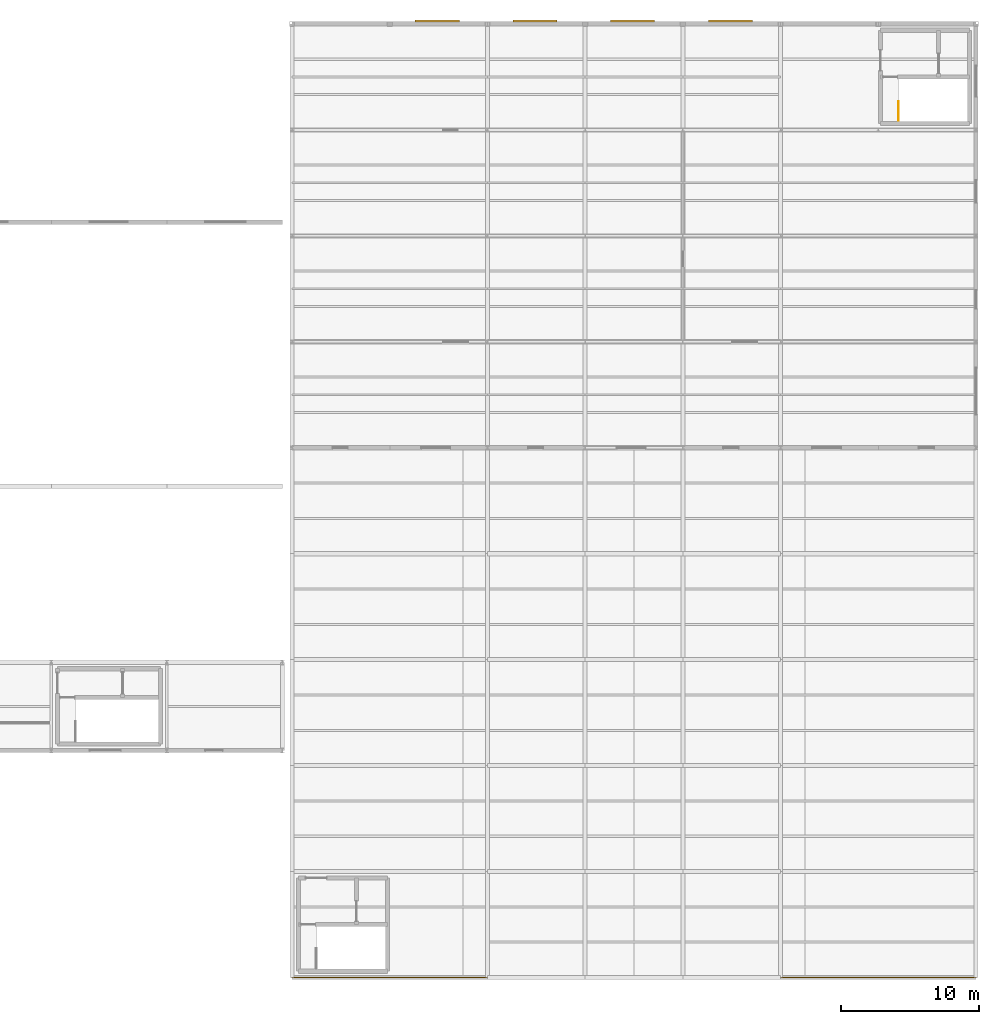
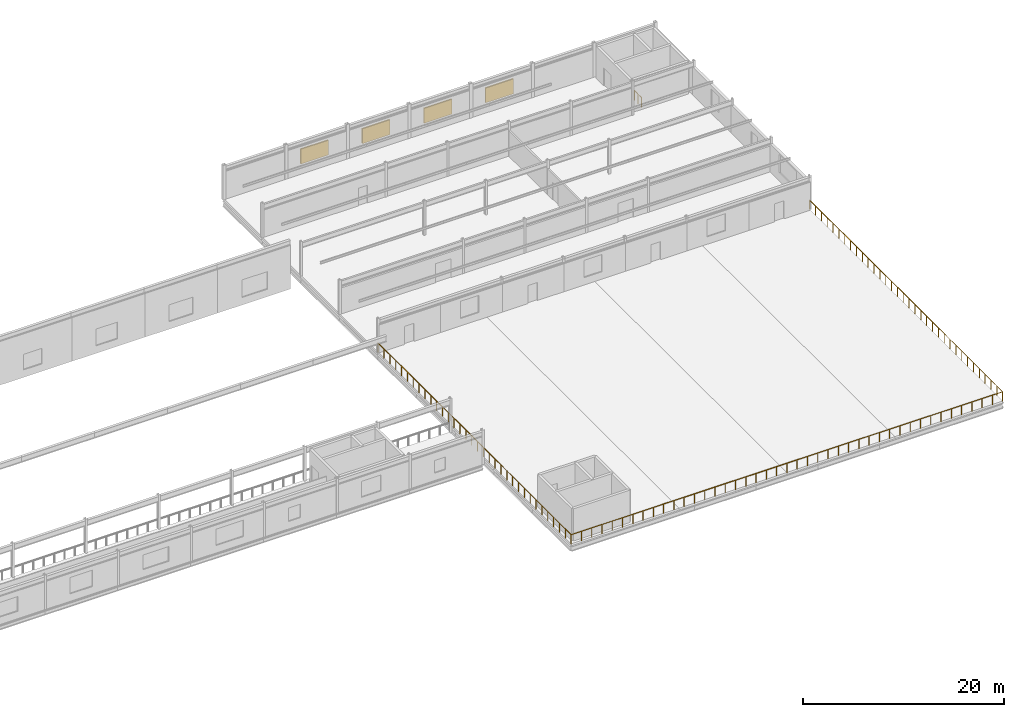
# One storey, part 39 of 39: 4 shading devices, 2 railings.
"""IFC4 building model written with IfcOpenShell, lengths in metres."""

from ifc_helpers import new_model, si_unit, direction, frame, origin, origin_2d, place, context, subcontext, project, spatial, rectangle, circle, extrude, material, layer, layer_set, type_object, element, save


model = new_model("IFC4")

# Units and contexts
model_context = context("Model", 3, precision=1e-05, world=origin(), true_north=direction((0.0, 1.0)))
body_context = subcontext(model_context, "Body", "Model", "MODEL_VIEW")
ifc_project = project(units=[si_unit("LENGTHUNIT", "METRE"), si_unit("AREAUNIT", "SQUARE_METRE"), si_unit("VOLUMEUNIT", "CUBIC_METRE"), si_unit("PLANEANGLEUNIT", "RADIAN"), si_unit("MASSUNIT", "GRAM", prefix="KILO")], contexts=[model_context])

# Site, building, storey
site_placement = place(None, origin())
site = spatial("IfcSite", under=ifc_project, at=site_placement, CompositionType="ELEMENT")
building_placement = place(site_placement, origin())
building = spatial("IfcBuilding", under=site, at=building_placement, Name="Kazenagashi Tramway Depot", CompositionType="ELEMENT")
storey_placement = place(building_placement, frame((0.0, 0.0, 11.1)))
storey = spatial("IfcBuildingStorey", under=building, at=storey_placement, Name="L03", CompositionType="ELEMENT", Elevation=11.1)

# Railings
ifc_material_1 = material(Name="Galvanised Painted Steel Balustrade", Category="steel")
railing_type = type_object("IfcRailingType", Name="GR-01", PredefinedType="GUARDRAIL", material=ifc_material_1)
railing_1_placement = place(storey_placement, frame((146.3, 38.5, 0.0)))
element("IfcRailing", 1, at=railing_1_placement, inside=storey, type_object=railing_type, Name="Terrace Perimeter Guardrail GR-01 1", PredefinedType="GUARDRAIL", context=body_context, shape_type="SweptSolid", body=[
    extrude(circle(Radius=0.024, at=origin_2d()), frame((0.0, 0.0, 1.126), z_axis=(0.0, -1.0, 0.0), x_axis=(1.0, 0.0, 0.0)), (0.0, 0.0, 1.0), 38.5),
    extrude(circle(Radius=0.024, at=origin_2d()), frame((0.0, -38.5, 1.126), z_axis=(1.0, 0.0, 0.0), x_axis=(0.0, 1.0, 0.0)), (0.0, 0.0, 1.0), 49.7),
    extrude(circle(Radius=0.024, at=origin_2d()), frame((49.7, -38.5, 1.126), z_axis=(0.0, 1.0, 0.0), x_axis=(-1.0, 0.0, 0.0)), (0.0, 0.0, 1.0), 38.5),
    extrude(circle(Radius=0.021, at=origin_2d()), origin(), (0.0, 0.0, 1.0), 1.102),
    extrude(circle(Radius=0.021, at=origin_2d()), frame((0.0, -1.166667, 0.0)), (0.0, 0.0, 1.0), 1.102),
    extrude(circle(Radius=0.021, at=origin_2d()), frame((0.0, -2.333333, 0.0)), (0.0, 0.0, 1.0), 1.102),
    extrude(circle(Radius=0.021, at=origin_2d()), frame((0.0, -3.5, 0.0)), (0.0, 0.0, 1.0), 1.102),
    extrude(circle(Radius=0.021, at=origin_2d()), frame((0.0, -4.666667, 0.0)), (0.0, 0.0, 1.0), 1.102),
    extrude(circle(Radius=0.021, at=origin_2d()), frame((0.0, -5.833333, 0.0)), (0.0, 0.0, 1.0), 1.102),
    extrude(circle(Radius=0.021, at=origin_2d()), frame((0.0, -7.0, 0.0)), (0.0, 0.0, 1.0), 1.102),
    extrude(circle(Radius=0.021, at=origin_2d()), frame((0.0, -8.166667, 0.0)), (0.0, 0.0, 1.0), 1.102),
    extrude(circle(Radius=0.021, at=origin_2d()), frame((0.0, -9.333333, 0.0)), (0.0, 0.0, 1.0), 1.102),
    extrude(circle(Radius=0.021, at=origin_2d()), frame((0.0, -10.5, 0.0)), (0.0, 0.0, 1.0), 1.102),
    extrude(circle(Radius=0.021, at=origin_2d()), frame((0.0, -11.666667, 0.0)), (0.0, 0.0, 1.0), 1.102),
    extrude(circle(Radius=0.021, at=origin_2d()), frame((0.0, -12.833333, 0.0)), (0.0, 0.0, 1.0), 1.102),
    extrude(circle(Radius=0.021, at=origin_2d()), frame((0.0, -14.0, 0.0)), (0.0, 0.0, 1.0), 1.102),
    extrude(circle(Radius=0.021, at=origin_2d()), frame((0.0, -15.166667, 0.0)), (0.0, 0.0, 1.0), 1.102),
    extrude(circle(Radius=0.021, at=origin_2d()), frame((0.0, -16.333333, 0.0)), (0.0, 0.0, 1.0), 1.102),
    extrude(circle(Radius=0.021, at=origin_2d()), frame((0.0, -17.5, 0.0)), (0.0, 0.0, 1.0), 1.102),
    extrude(circle(Radius=0.021, at=origin_2d()), frame((0.0, -18.666667, 0.0)), (0.0, 0.0, 1.0), 1.102),
    extrude(circle(Radius=0.021, at=origin_2d()), frame((0.0, -19.833333, 0.0)), (0.0, 0.0, 1.0), 1.102),
    extrude(circle(Radius=0.021, at=origin_2d()), frame((0.0, -21.0, 0.0)), (0.0, 0.0, 1.0), 1.102),
    extrude(circle(Radius=0.021, at=origin_2d()), frame((0.0, -22.166667, 0.0)), (0.0, 0.0, 1.0), 1.102),
    extrude(circle(Radius=0.021, at=origin_2d()), frame((0.0, -23.333333, 0.0)), (0.0, 0.0, 1.0), 1.102),
    extrude(circle(Radius=0.021, at=origin_2d()), frame((0.0, -24.5, 0.0)), (0.0, 0.0, 1.0), 1.102),
    extrude(circle(Radius=0.021, at=origin_2d()), frame((0.0, -25.666667, 0.0)), (0.0, 0.0, 1.0), 1.102),
    extrude(circle(Radius=0.021, at=origin_2d()), frame((0.0, -26.833333, 0.0)), (0.0, 0.0, 1.0), 1.102),
    extrude(circle(Radius=0.021, at=origin_2d()), frame((0.0, -28.0, 0.0)), (0.0, 0.0, 1.0), 1.102),
    extrude(circle(Radius=0.021, at=origin_2d()), frame((0.0, -29.166667, 0.0)), (0.0, 0.0, 1.0), 1.102),
    extrude(circle(Radius=0.021, at=origin_2d()), frame((0.0, -30.333333, 0.0)), (0.0, 0.0, 1.0), 1.102),
    extrude(circle(Radius=0.021, at=origin_2d()), frame((0.0, -31.5, 0.0)), (0.0, 0.0, 1.0), 1.102),
    extrude(circle(Radius=0.021, at=origin_2d()), frame((0.0, -32.666667, 0.0)), (0.0, 0.0, 1.0), 1.102),
    extrude(circle(Radius=0.021, at=origin_2d()), frame((0.0, -33.833333, 0.0)), (0.0, 0.0, 1.0), 1.102),
    extrude(circle(Radius=0.021, at=origin_2d()), frame((0.0, -35.0, 0.0)), (0.0, 0.0, 1.0), 1.102),
    extrude(circle(Radius=0.021, at=origin_2d()), frame((0.0, -36.166667, 0.0)), (0.0, 0.0, 1.0), 1.102),
    extrude(circle(Radius=0.021, at=origin_2d()), frame((0.0, -37.333333, 0.0)), (0.0, 0.0, 1.0), 1.102),
    extrude(circle(Radius=0.021, at=origin_2d()), frame((0.0, -38.5, 0.0)), (0.0, 0.0, 1.0), 1.102),
    extrude(circle(Radius=0.021, at=origin_2d()), frame((1.183333, -38.5, 0.0)), (0.0, 0.0, 1.0), 1.102),
    extrude(circle(Radius=0.021, at=origin_2d()), frame((2.366667, -38.5, 0.0)), (0.0, 0.0, 1.0), 1.102),
    extrude(circle(Radius=0.021, at=origin_2d()), frame((3.55, -38.5, 0.0)), (0.0, 0.0, 1.0), 1.102),
    extrude(circle(Radius=0.021, at=origin_2d()), frame((4.733333, -38.5, 0.0)), (0.0, 0.0, 1.0), 1.102),
    extrude(circle(Radius=0.021, at=origin_2d()), frame((5.916667, -38.5, 0.0)), (0.0, 0.0, 1.0), 1.102),
    extrude(circle(Radius=0.021, at=origin_2d()), frame((7.1, -38.5, 0.0)), (0.0, 0.0, 1.0), 1.102),
    extrude(circle(Radius=0.021, at=origin_2d()), frame((8.283333, -38.5, 0.0)), (0.0, 0.0, 1.0), 1.102),
    extrude(circle(Radius=0.021, at=origin_2d()), frame((9.466667, -38.5, 0.0)), (0.0, 0.0, 1.0), 1.102),
    extrude(circle(Radius=0.021, at=origin_2d()), frame((10.65, -38.5, 0.0)), (0.0, 0.0, 1.0), 1.102),
    extrude(circle(Radius=0.021, at=origin_2d()), frame((11.833333, -38.5, 0.0)), (0.0, 0.0, 1.0), 1.102),
    extrude(circle(Radius=0.021, at=origin_2d()), frame((13.016667, -38.5, 0.0)), (0.0, 0.0, 1.0), 1.102),
    extrude(circle(Radius=0.021, at=origin_2d()), frame((14.2, -38.5, 0.0)), (0.0, 0.0, 1.0), 1.102),
    extrude(circle(Radius=0.021, at=origin_2d()), frame((15.383333, -38.5, 0.0)), (0.0, 0.0, 1.0), 1.102),
    extrude(circle(Radius=0.021, at=origin_2d()), frame((16.566667, -38.5, 0.0)), (0.0, 0.0, 1.0), 1.102),
    extrude(circle(Radius=0.021, at=origin_2d()), frame((17.75, -38.5, 0.0)), (0.0, 0.0, 1.0), 1.102),
    extrude(circle(Radius=0.021, at=origin_2d()), frame((18.933333, -38.5, 0.0)), (0.0, 0.0, 1.0), 1.102),
    extrude(circle(Radius=0.021, at=origin_2d()), frame((20.116667, -38.5, 0.0)), (0.0, 0.0, 1.0), 1.102),
    extrude(circle(Radius=0.021, at=origin_2d()), frame((21.3, -38.5, 0.0)), (0.0, 0.0, 1.0), 1.102),
    extrude(circle(Radius=0.021, at=origin_2d()), frame((22.483333, -38.5, 0.0)), (0.0, 0.0, 1.0), 1.102),
    extrude(circle(Radius=0.021, at=origin_2d()), frame((23.666667, -38.5, 0.0)), (0.0, 0.0, 1.0), 1.102),
    extrude(circle(Radius=0.021, at=origin_2d()), frame((24.85, -38.5, 0.0)), (0.0, 0.0, 1.0), 1.102),
    extrude(circle(Radius=0.021, at=origin_2d()), frame((26.033333, -38.5, 0.0)), (0.0, 0.0, 1.0), 1.102),
    extrude(circle(Radius=0.021, at=origin_2d()), frame((27.216667, -38.5, 0.0)), (0.0, 0.0, 1.0), 1.102),
    extrude(circle(Radius=0.021, at=origin_2d()), frame((28.4, -38.5, 0.0)), (0.0, 0.0, 1.0), 1.102),
    extrude(circle(Radius=0.021, at=origin_2d()), frame((29.583333, -38.5, 0.0)), (0.0, 0.0, 1.0), 1.102),
    extrude(circle(Radius=0.021, at=origin_2d()), frame((30.766667, -38.5, 0.0)), (0.0, 0.0, 1.0), 1.102),
    extrude(circle(Radius=0.021, at=origin_2d()), frame((31.95, -38.5, 0.0)), (0.0, 0.0, 1.0), 1.102),
    extrude(circle(Radius=0.021, at=origin_2d()), frame((33.133333, -38.5, 0.0)), (0.0, 0.0, 1.0), 1.102),
    extrude(circle(Radius=0.021, at=origin_2d()), frame((34.316667, -38.5, 0.0)), (0.0, 0.0, 1.0), 1.102),
    extrude(circle(Radius=0.021, at=origin_2d()), frame((35.5, -38.5, 0.0)), (0.0, 0.0, 1.0), 1.102),
    extrude(circle(Radius=0.021, at=origin_2d()), frame((36.683333, -38.5, 0.0)), (0.0, 0.0, 1.0), 1.102),
    extrude(circle(Radius=0.021, at=origin_2d()), frame((37.866667, -38.5, 0.0)), (0.0, 0.0, 1.0), 1.102),
    extrude(circle(Radius=0.021, at=origin_2d()), frame((39.05, -38.5, 0.0)), (0.0, 0.0, 1.0), 1.102),
    extrude(circle(Radius=0.021, at=origin_2d()), frame((40.233333, -38.5, 0.0)), (0.0, 0.0, 1.0), 1.102),
    extrude(circle(Radius=0.021, at=origin_2d()), frame((41.416667, -38.5, 0.0)), (0.0, 0.0, 1.0), 1.102),
    extrude(circle(Radius=0.021, at=origin_2d()), frame((42.6, -38.5, 0.0)), (0.0, 0.0, 1.0), 1.102),
    extrude(circle(Radius=0.021, at=origin_2d()), frame((43.783333, -38.5, 0.0)), (0.0, 0.0, 1.0), 1.102),
    extrude(circle(Radius=0.021, at=origin_2d()), frame((44.966667, -38.5, 0.0)), (0.0, 0.0, 1.0), 1.102),
    extrude(circle(Radius=0.021, at=origin_2d()), frame((46.15, -38.5, 0.0)), (0.0, 0.0, 1.0), 1.102),
    extrude(circle(Radius=0.021, at=origin_2d()), frame((47.333333, -38.5, 0.0)), (0.0, 0.0, 1.0), 1.102),
    extrude(circle(Radius=0.021, at=origin_2d()), frame((48.516667, -38.5, 0.0)), (0.0, 0.0, 1.0), 1.102),
    extrude(circle(Radius=0.021, at=origin_2d()), frame((49.7, -38.5, 0.0)), (0.0, 0.0, 1.0), 1.102),
    extrude(circle(Radius=0.021, at=origin_2d()), frame((49.7, -37.333333, 0.0)), (0.0, 0.0, 1.0), 1.102),
    extrude(circle(Radius=0.021, at=origin_2d()), frame((49.7, -36.166667, 0.0)), (0.0, 0.0, 1.0), 1.102),
    extrude(circle(Radius=0.021, at=origin_2d()), frame((49.7, -35.0, 0.0)), (0.0, 0.0, 1.0), 1.102),
    extrude(circle(Radius=0.021, at=origin_2d()), frame((49.7, -33.833333, 0.0)), (0.0, 0.0, 1.0), 1.102),
    extrude(circle(Radius=0.021, at=origin_2d()), frame((49.7, -32.666667, 0.0)), (0.0, 0.0, 1.0), 1.102),
    extrude(circle(Radius=0.021, at=origin_2d()), frame((49.7, -31.5, 0.0)), (0.0, 0.0, 1.0), 1.102),
    extrude(circle(Radius=0.021, at=origin_2d()), frame((49.7, -30.333333, 0.0)), (0.0, 0.0, 1.0), 1.102),
    extrude(circle(Radius=0.021, at=origin_2d()), frame((49.7, -29.166667, 0.0)), (0.0, 0.0, 1.0), 1.102),
    extrude(circle(Radius=0.021, at=origin_2d()), frame((49.7, -28.0, 0.0)), (0.0, 0.0, 1.0), 1.102),
    extrude(circle(Radius=0.021, at=origin_2d()), frame((49.7, -26.833333, 0.0)), (0.0, 0.0, 1.0), 1.102),
    extrude(circle(Radius=0.021, at=origin_2d()), frame((49.7, -25.666667, 0.0)), (0.0, 0.0, 1.0), 1.102),
    extrude(circle(Radius=0.021, at=origin_2d()), frame((49.7, -24.5, 0.0)), (0.0, 0.0, 1.0), 1.102),
    extrude(circle(Radius=0.021, at=origin_2d()), frame((49.7, -23.333333, 0.0)), (0.0, 0.0, 1.0), 1.102),
    extrude(circle(Radius=0.021, at=origin_2d()), frame((49.7, -22.166667, 0.0)), (0.0, 0.0, 1.0), 1.102),
    extrude(circle(Radius=0.021, at=origin_2d()), frame((49.7, -21.0, 0.0)), (0.0, 0.0, 1.0), 1.102),
    extrude(circle(Radius=0.021, at=origin_2d()), frame((49.7, -19.833333, 0.0)), (0.0, 0.0, 1.0), 1.102),
    extrude(circle(Radius=0.021, at=origin_2d()), frame((49.7, -18.666667, 0.0)), (0.0, 0.0, 1.0), 1.102),
    extrude(circle(Radius=0.021, at=origin_2d()), frame((49.7, -17.5, 0.0)), (0.0, 0.0, 1.0), 1.102),
    extrude(circle(Radius=0.021, at=origin_2d()), frame((49.7, -16.333333, 0.0)), (0.0, 0.0, 1.0), 1.102),
    extrude(circle(Radius=0.021, at=origin_2d()), frame((49.7, -15.166667, 0.0)), (0.0, 0.0, 1.0), 1.102),
    extrude(circle(Radius=0.021, at=origin_2d()), frame((49.7, -14.0, 0.0)), (0.0, 0.0, 1.0), 1.102),
    extrude(circle(Radius=0.021, at=origin_2d()), frame((49.7, -12.833333, 0.0)), (0.0, 0.0, 1.0), 1.102),
    extrude(circle(Radius=0.021, at=origin_2d()), frame((49.7, -11.666667, 0.0)), (0.0, 0.0, 1.0), 1.102),
    extrude(circle(Radius=0.021, at=origin_2d()), frame((49.7, -10.5, 0.0)), (0.0, 0.0, 1.0), 1.102),
    extrude(circle(Radius=0.021, at=origin_2d()), frame((49.7, -9.333333, 0.0)), (0.0, 0.0, 1.0), 1.102),
    extrude(circle(Radius=0.021, at=origin_2d()), frame((49.7, -8.166667, 0.0)), (0.0, 0.0, 1.0), 1.102),
    extrude(circle(Radius=0.021, at=origin_2d()), frame((49.7, -7.0, 0.0)), (0.0, 0.0, 1.0), 1.102),
    extrude(circle(Radius=0.021, at=origin_2d()), frame((49.7, -5.833333, 0.0)), (0.0, 0.0, 1.0), 1.102),
    extrude(circle(Radius=0.021, at=origin_2d()), frame((49.7, -4.666667, 0.0)), (0.0, 0.0, 1.0), 1.102),
    extrude(circle(Radius=0.021, at=origin_2d()), frame((49.7, -3.5, 0.0)), (0.0, 0.0, 1.0), 1.102),
    extrude(circle(Radius=0.021, at=origin_2d()), frame((49.7, -2.333333, 0.0)), (0.0, 0.0, 1.0), 1.102),
    extrude(circle(Radius=0.021, at=origin_2d()), frame((49.7, -1.166667, 0.0)), (0.0, 0.0, 1.0), 1.102),
    extrude(circle(Radius=0.021, at=origin_2d()), frame((49.7, 0.0, 0.0)), (0.0, 0.0, 1.0), 1.102),
])
railing_2_placement = place(storey_placement, frame((190.36, 62.27, 0.0)))
element("IfcRailing", 2, at=railing_2_placement, inside=storey, type_object=railing_type, Name="Stairwell ST-26 Arrival Guardrail", PredefinedType="GUARDRAIL", context=body_context, shape_type="SweptSolid", body=[
    extrude(circle(Radius=0.024, at=origin_2d()), frame((0.0, 0.0, 1.156), z_axis=(0.0, 1.0, 0.0), x_axis=(-1.0, 0.0, 0.0)), (0.0, 0.0, 1.0), 1.4),
    extrude(circle(Radius=0.021, at=origin_2d()), origin(), (0.0, 0.0, 1.0), 1.132),
    extrude(circle(Radius=0.021, at=origin_2d()), frame((0.0, 0.7, 0.0)), (0.0, 0.0, 1.0), 1.132),
    extrude(circle(Radius=0.021, at=origin_2d()), frame((0.0, 1.4, 0.0)), (0.0, 0.0, 1.0), 1.132),
])

# Shading devices
ifc_material_2 = material(Name="Anodised Aluminium Acoustic Louvre", Category="aluminium")
ifc_layer = layer(ifc_material_2, 0.15)
ifc_layer_set = layer_set([ifc_layer], Name="Anodised Aluminium Acoustic Louvre")
shading_device_type = type_object("IfcShadingDeviceType", Name="SH-LV1", PredefinedType="JALOUSIE", material=ifc_layer_set)
for number, where, z_axis, x_axis, name in (
    (3, (156.85, 69.51, 1.0), (0.0, 0.0, 1.0), (1.0, 0.0, 0.0), "BESS Plant Acoustic Louvre Bank 5"),
    (4, (163.95, 69.51, 1.0), (0.0, 0.0, 1.0), (1.0, 0.0, 0.0), "BESS Plant Acoustic Louvre Bank 6"),
    (5, (171.05, 69.51, 1.0), (0.0, 0.0, 1.0), (1.0, 0.0, 0.0), "BESS Plant Acoustic Louvre Bank 7"),
    (6, (178.15, 69.51, 1.0), (0.0, 0.0, 1.0), (1.0, 0.0, 0.0), "BESS Plant Acoustic Louvre Bank 8"),
):
    element("IfcShadingDevice", number, at=place(storey_placement, frame(where, z_axis=z_axis, x_axis=x_axis)), inside=storey, type_object=shading_device_type, Name=name, PredefinedType="JALOUSIE", context=body_context, shape_type="SweptSolid", body=[
        extrude(rectangle(XDim=3.2, YDim=0.15, at=origin_2d()), origin(), (0.0, 0.0, 1.0), 1.8),
    ])

save(model, "model.ifc")
